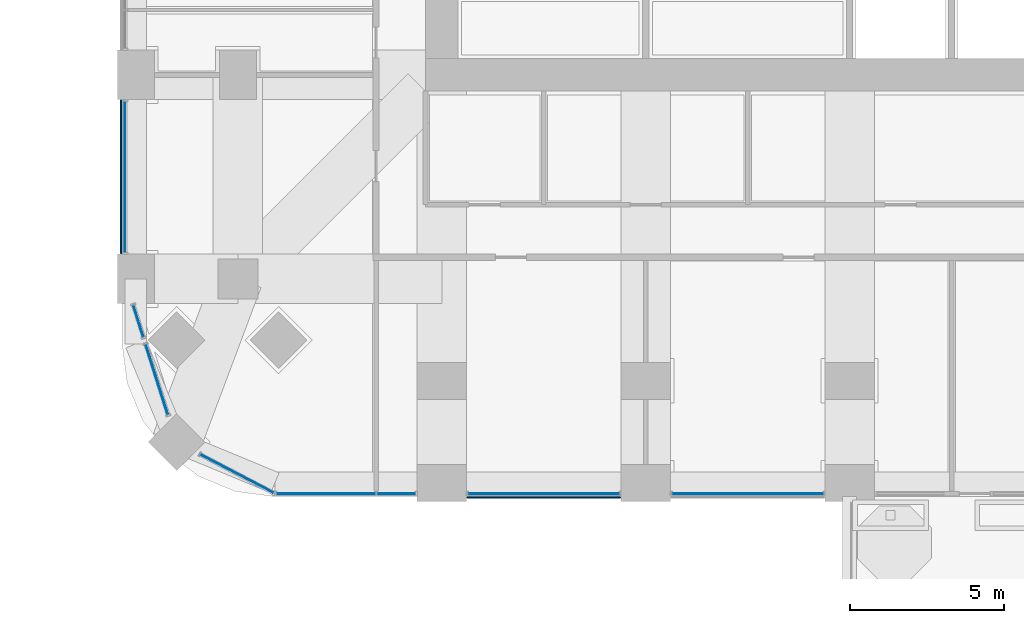
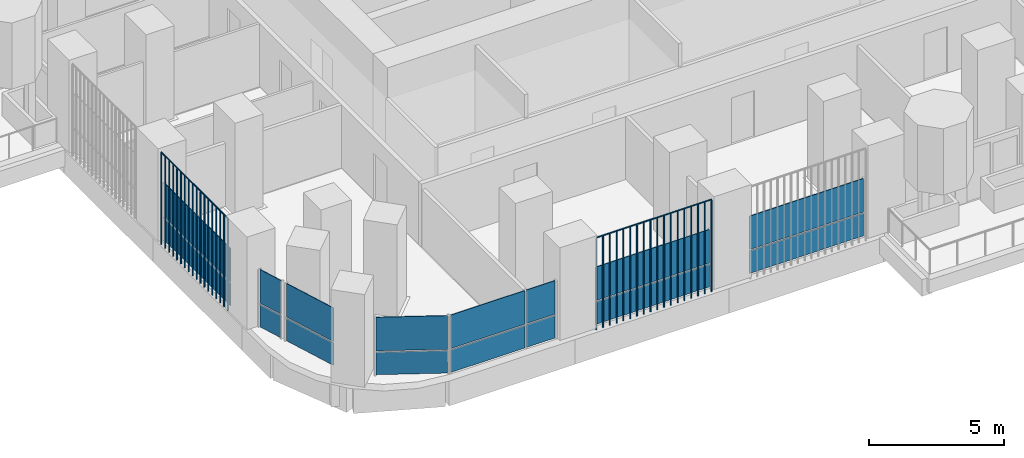
# One storey, part 9 of 22: 18 plates, 7 elements without a shape of their own.
"""IFC4 building model written with IfcOpenShell, lengths in metres."""

from ifc_helpers import new_model, si_unit, direction, frame, origin, origin_2d, place, context, subcontext, project, spatial, polyline, rectangle, outline, extrude, material, layer, layer_set, type_object, element, aggregate, save


model = new_model("IFC4")

# Units and contexts
model_context = context("Model", 3, precision=1e-05, world=origin(), true_north=direction((0.0, 1.0)))
body_context = subcontext(model_context, "Body", "Model", "MODEL_VIEW")
ifc_project = project(units=[si_unit("LENGTHUNIT", "METRE"), si_unit("AREAUNIT", "SQUARE_METRE"), si_unit("VOLUMEUNIT", "CUBIC_METRE"), si_unit("PLANEANGLEUNIT", "RADIAN"), si_unit("MASSUNIT", "GRAM", prefix="KILO")], contexts=[model_context])

# Site, building, storey
site_placement = place(None, origin())
site = spatial("IfcSite", under=ifc_project, at=site_placement, CompositionType="ELEMENT")
building_placement = place(site_placement, origin())
building = spatial("IfcBuilding", under=site, at=building_placement, Name="Cobogo Forest Laboratory Tower", CompositionType="ELEMENT")
storey_placement = place(building_placement, frame((0.0, 0.0, 136.800048828125)))
storey = spatial("IfcBuildingStorey", under=building, at=storey_placement, Name="L31", CompositionType="ELEMENT", Elevation=136.800048828125)

# Curtain wall, plates
ifc_material_1 = material(Name="Aluminium curtain wall", Category="aluminium")
curtain_wall_type = type_object("IfcCurtainWallType", Name="CW-1 unitised curtain wall, clear glazing, laboratory floors zones A and B", PredefinedType="USERDEFINED", material=ifc_material_1)
curtain_wall_1_placement = place(storey_placement, origin())
curtain_wall_1 = element("IfcCurtainWall", 1, at=curtain_wall_1_placement, inside=storey, type_object=curtain_wall_type, Name="Curtain wall 01 L31", ObjectType="UNITISED CURTAIN WALL", PredefinedType="USERDEFINED")
ifc_material_2 = material(Name="Clear insulated glass", Category="glass")
ifc_layer = layer(ifc_material_2, 0.028076171875)
ifc_layer_set = layer_set([ifc_layer], Name="GP-1 clear insulated glass unit 28")
plate_type_1 = type_object("IfcPlateType", Name="GP-1 clear insulated glass unit 28", PredefinedType="CURTAIN_PANEL", material=ifc_layer_set)
plate_1_placement = place(storey_placement, frame((9.452392578125, -0.35009765625, 0.0), z_axis=(0.0, 0.0, 1.0), x_axis=(1.0, 0.0, 0.0)))
plate_1 = element("IfcPlate", 2, at=plate_1_placement, type_object=plate_type_1, Name="CW-1 panel 1.1", PredefinedType="CURTAIN_PANEL", context=body_context, shape_type="SweptSolid", body=[
    extrude(rectangle(XDim=3.18505859375, YDim=0.028076171875, at=origin_2d()), origin(), (0.0, 0.0, 1.0), 1.02001953125),
])
plate_2_placement = place(storey_placement, frame((9.452392578125, -0.35009765625, 1.079833984375), z_axis=(0.0, 0.0, 1.0), x_axis=(1.0, 0.0, 0.0)))
plate_2 = element("IfcPlate", 3, at=plate_2_placement, type_object=plate_type_1, Name="CW-1 panel 1.2", PredefinedType="CURTAIN_PANEL", context=body_context, shape_type="SweptSolid", body=[
    extrude(rectangle(XDim=3.18505859375, YDim=0.028076171875, at=origin_2d()), origin(), (0.0, 0.0, 1.0), 1.52001953125),
])
plate_3_placement = place(storey_placement, frame((11.722412109375, -0.35009765625, 0.0), z_axis=(0.0, 0.0, 1.0), x_axis=(1.0, 0.0, 0.0)))
plate_3 = element("IfcPlate", 4, at=plate_3_placement, type_object=plate_type_1, Name="CW-1 panel 2.1", PredefinedType="CURTAIN_PANEL", context=body_context, shape_type="SweptSolid", body=[
    extrude(rectangle(XDim=1.235107421875, YDim=0.028076171875, at=origin_2d()), origin(), (0.0, 0.0, 1.0), 1.02001953125),
])
plate_4_placement = place(storey_placement, frame((11.722412109375, -0.35009765625, 1.079833984375), z_axis=(0.0, 0.0, 1.0), x_axis=(1.0, 0.0, 0.0)))
plate_4 = element("IfcPlate", 5, at=plate_4_placement, type_object=plate_type_1, Name="CW-1 panel 2.2", PredefinedType="CURTAIN_PANEL", context=body_context, shape_type="SweptSolid", body=[
    extrude(rectangle(XDim=1.235107421875, YDim=0.028076171875, at=origin_2d()), origin(), (0.0, 0.0, 1.0), 1.52001953125),
])
aggregate(curtain_wall_1, [plate_1, plate_2, plate_3, plate_4])

curtain_wall_2_placement = place(storey_placement, origin())
curtain_wall_2 = element("IfcCurtainWall", 6, at=curtain_wall_2_placement, inside=storey, type_object=curtain_wall_type, Name="Curtain wall 02 L31", ObjectType="UNITISED CURTAIN WALL", PredefinedType="USERDEFINED")
plate_5_placement = place(storey_placement, frame((16.5, -0.35009765625, 0.0), z_axis=(0.0, 0.0, 1.0), x_axis=(1.0, 0.0, 0.0)))
plate_5 = element("IfcPlate", 7, at=plate_5_placement, type_object=plate_type_1, Name="CW-1 panel 1.1", PredefinedType="CURTAIN_PANEL", context=body_context, shape_type="SweptSolid", body=[
    extrude(rectangle(XDim=4.8798828125, YDim=0.028076171875, at=origin_2d()), origin(), (0.0, 0.0, 1.0), 1.02001953125),
])
plate_6_placement = place(storey_placement, frame((16.5, -0.35009765625, 1.079833984375), z_axis=(0.0, 0.0, 1.0), x_axis=(1.0, 0.0, 0.0)))
plate_6 = element("IfcPlate", 8, at=plate_6_placement, type_object=plate_type_1, Name="CW-1 panel 1.2", PredefinedType="CURTAIN_PANEL", context=body_context, shape_type="SweptSolid", body=[
    extrude(rectangle(XDim=4.8798828125, YDim=0.028076171875, at=origin_2d()), origin(), (0.0, 0.0, 1.0), 1.52001953125),
])
aggregate(curtain_wall_2, [plate_5, plate_6])

curtain_wall_3_placement = place(storey_placement, origin())
curtain_wall_3 = element("IfcCurtainWall", 9, at=curtain_wall_3_placement, inside=storey, type_object=curtain_wall_type, Name="Curtain wall 03 L31", ObjectType="UNITISED CURTAIN WALL", PredefinedType="USERDEFINED")
plate_7_placement = place(storey_placement, frame((23.10009765625, -0.35009765625, 0.0), z_axis=(0.0, 0.0, 1.0), x_axis=(1.0, 0.0, 0.0)))
plate_7 = element("IfcPlate", 10, at=plate_7_placement, type_object=plate_type_1, Name="CW-1 panel 1.1", PredefinedType="CURTAIN_PANEL", context=body_context, shape_type="SweptSolid", body=[
    extrude(rectangle(XDim=4.8798828125, YDim=0.028076171875, at=origin_2d()), origin(), (0.0, 0.0, 1.0), 1.02001953125),
])
plate_8_placement = place(storey_placement, frame((23.10009765625, -0.35009765625, 1.079833984375), z_axis=(0.0, 0.0, 1.0), x_axis=(1.0, 0.0, 0.0)))
plate_8 = element("IfcPlate", 11, at=plate_8_placement, type_object=plate_type_1, Name="CW-1 panel 1.2", PredefinedType="CURTAIN_PANEL", context=body_context, shape_type="SweptSolid", body=[
    extrude(rectangle(XDim=4.8798828125, YDim=0.028076171875, at=origin_2d()), origin(), (0.0, 0.0, 1.0), 1.52001953125),
])
aggregate(curtain_wall_3, [plate_7, plate_8])

curtain_wall_4_placement = place(storey_placement, origin())
curtain_wall_4 = element("IfcCurtainWall", 12, at=curtain_wall_4_placement, inside=storey, type_object=curtain_wall_type, Name="Curtain wall 31 L31", ObjectType="UNITISED CURTAIN WALL", PredefinedType="USERDEFINED")
plate_9_placement = place(storey_placement, frame((2.949951171875, 9.89990234375, 0.0), z_axis=(0.0, 0.0, 1.0), x_axis=(0.0, -1.0, 0.0)))
plate_9 = element("IfcPlate", 13, at=plate_9_placement, type_object=plate_type_1, Name="CW-1 panel 1.1", PredefinedType="CURTAIN_PANEL", context=body_context, shape_type="SweptSolid", body=[
    extrude(rectangle(XDim=4.8798828125, YDim=0.028076171875, at=origin_2d()), origin(), (0.0, 0.0, 1.0), 1.02001953125),
])
plate_10_placement = place(storey_placement, frame((2.949951171875, 9.89990234375, 1.079833984375), z_axis=(0.0, 0.0, 1.0), x_axis=(0.0, -1.0, 0.0)))
plate_10 = element("IfcPlate", 14, at=plate_10_placement, type_object=plate_type_1, Name="CW-1 panel 1.2", PredefinedType="CURTAIN_PANEL", context=body_context, shape_type="SweptSolid", body=[
    extrude(rectangle(XDim=4.8798828125, YDim=0.028076171875, at=origin_2d()), origin(), (0.0, 0.0, 1.0), 1.52001953125),
])
aggregate(curtain_wall_4, [plate_9, plate_10])

curtain_wall_5_placement = place(storey_placement, origin())
curtain_wall_5 = element("IfcCurtainWall", 15, at=curtain_wall_5_placement, inside=storey, type_object=curtain_wall_type, Name="Curtain wall 32 L31", ObjectType="UNITISED CURTAIN WALL", PredefinedType="USERDEFINED")
plate_11_placement = place(storey_placement, frame((3.3818359375, 5.232177734375, 0.0), z_axis=(0.0, 0.0, 1.0), x_axis=(0.301135667865, -0.953581307252, 0.0)))
plate_11 = element("IfcPlate", 16, at=plate_11_placement, type_object=plate_type_1, Name="CW-1 panel 1.1", PredefinedType="CURTAIN_PANEL", context=body_context, shape_type="SweptSolid", body=[
    extrude(rectangle(XDim=1.071044921875, YDim=0.028076171875, at=origin_2d()), origin(), (0.0, 0.0, 1.0), 1.02001953125),
])
plate_12_placement = place(storey_placement, frame((3.3818359375, 5.232177734375, 1.079833984375), z_axis=(0.0, 0.0, 1.0), x_axis=(0.301135667865, -0.953581307252, 0.0)))
plate_12 = element("IfcPlate", 17, at=plate_12_placement, type_object=plate_type_1, Name="CW-1 panel 1.2", PredefinedType="CURTAIN_PANEL", context=body_context, shape_type="SweptSolid", body=[
    extrude(rectangle(XDim=1.071044921875, YDim=0.028076171875, at=origin_2d()), origin(), (0.0, 0.0, 1.0), 1.52001953125),
])
aggregate(curtain_wall_5, [plate_11, plate_12])

curtain_wall_6_placement = place(storey_placement, origin())
curtain_wall_6 = element("IfcCurtainWall", 18, at=curtain_wall_6_placement, inside=storey, type_object=curtain_wall_type, Name="Curtain wall 33 L31", ObjectType="UNITISED CURTAIN WALL", PredefinedType="USERDEFINED")
plate_13_placement = place(storey_placement, frame((3.978759765625, 3.342529296875, 0.0), z_axis=(0.0, 0.0, 1.0), x_axis=(0.301135291996, -0.953581425949, 0.0)))
plate_13 = element("IfcPlate", 19, at=plate_13_placement, type_object=plate_type_1, Name="CW-1 panel 1.1", PredefinedType="CURTAIN_PANEL", context=body_context, shape_type="SweptSolid", body=[
    extrude(rectangle(XDim=2.3681640625, YDim=0.028076171875, at=origin_2d()), origin(), (0.0, 0.0, 1.0), 1.02001953125),
])
plate_14_placement = place(storey_placement, frame((3.978759765625, 3.342529296875, 1.079833984375), z_axis=(0.0, 0.0, 1.0), x_axis=(0.301135291996, -0.953581425949, 0.0)))
plate_14 = element("IfcPlate", 20, at=plate_14_placement, type_object=plate_type_1, Name="CW-1 panel 1.2", PredefinedType="CURTAIN_PANEL", context=body_context, shape_type="SweptSolid", body=[
    extrude(rectangle(XDim=2.3681640625, YDim=0.028076171875, at=origin_2d()), origin(), (0.0, 0.0, 1.0), 1.52001953125),
])
aggregate(curtain_wall_6, [plate_13, plate_14])

curtain_wall_7_placement = place(storey_placement, origin())
curtain_wall_7 = element("IfcCurtainWall", 21, at=curtain_wall_7_placement, inside=storey, type_object=curtain_wall_type, Name="Curtain wall 34 L31", ObjectType="UNITISED CURTAIN WALL", PredefinedType="USERDEFINED")
plate_15_placement = place(storey_placement, frame((6.57080078125, 0.29443359375, 0.0), z_axis=(0.0, 0.0, 1.0), x_axis=(0.885686547075, -0.464283685186, 0.0)))
plate_15 = element("IfcPlate", 22, at=plate_15_placement, type_object=plate_type_1, Name="CW-1 panel 1.1", PredefinedType="CURTAIN_PANEL", context=body_context, shape_type="SweptSolid", body=[
    extrude(rectangle(XDim=2.655517578125, YDim=0.028076171875, at=origin_2d()), origin(), (0.0, 0.0, 1.0), 1.02001953125),
])
plate_16_placement = place(storey_placement, frame((6.57080078125, 0.29443359375, 1.079833984375), z_axis=(0.0, 0.0, 1.0), x_axis=(0.885686547075, -0.464283685186, 0.0)))
plate_16 = element("IfcPlate", 23, at=plate_16_placement, type_object=plate_type_1, Name="CW-1 panel 1.2", PredefinedType="CURTAIN_PANEL", context=body_context, shape_type="SweptSolid", body=[
    extrude(rectangle(XDim=2.655517578125, YDim=0.028076171875, at=origin_2d()), origin(), (0.0, 0.0, 1.0), 1.52001953125),
])
aggregate(curtain_wall_7, [plate_15, plate_16])

# Plates
ifc_material_3 = material(Name="Terracotta", Category="masonry")
plate_type_2 = type_object("IfcPlateType", Name="TB1 terracotta baguette screen", PredefinedType="USERDEFINED", material=ifc_material_3)
plate_17_placement = place(storey_placement, frame((14.03125, -0.477783203125, -0.150146484375)))
element("IfcPlate", 24, at=plate_17_placement, inside=storey, type_object=plate_type_2, Name="Baguette screen S1 L31", ObjectType="BAGUETTE SCREEN", PredefinedType="USERDEFINED", context=body_context, shape_type="SweptSolid", body=[
    extrude(outline(polyline([(0.02880859375, 0.011962890625), (0.011962890625, 0.02880859375), (-0.011962890625, 0.02880859375), (-0.02880859375, 0.011962890625), (-0.02880859375, -0.011962890625), (-0.011962890625, -0.02880859375), (0.011962890625, -0.02880859375), (0.02880859375, -0.011962890625), (0.02880859375, 0.011962890625)])), frame((0.0, 0.0, 4.168701171875), z_axis=(1.0, 0.0, 0.0), x_axis=(0.0, 1.0, 0.0)), (0.0, 0.0, 1.0), 4.9375),
    extrude(outline(polyline([(0.02880859375, 0.011962890625), (0.011962890625, 0.02880859375), (-0.011962890625, 0.02880859375), (-0.02880859375, 0.011962890625), (-0.02880859375, -0.011962890625), (-0.011962890625, -0.02880859375), (0.011962890625, -0.02880859375), (0.02880859375, -0.011962890625), (0.02880859375, 0.011962890625)])), origin(), (0.0, 0.0, 1.0), 4.137451171875),
    extrude(outline(polyline([(0.02880859375, 0.011962890625), (0.011962890625, 0.02880859375), (-0.011962890625, 0.02880859375), (-0.02880859375, 0.011962890625), (-0.02880859375, -0.011962890625), (-0.011962890625, -0.02880859375), (0.011962890625, -0.02880859375), (0.02880859375, -0.011962890625), (0.02880859375, 0.011962890625)])), frame((0.29052734375, 0.0, 0.0)), (0.0, 0.0, 1.0), 4.137451171875),
    extrude(outline(polyline([(0.02880859375, 0.011962890625), (0.011962890625, 0.02880859375), (-0.011962890625, 0.02880859375), (-0.02880859375, 0.011962890625), (-0.02880859375, -0.011962890625), (-0.011962890625, -0.02880859375), (0.011962890625, -0.02880859375), (0.02880859375, -0.011962890625), (0.02880859375, 0.011962890625)])), frame((0.580810546875, 0.0, 0.0)), (0.0, 0.0, 1.0), 4.137451171875),
    extrude(outline(polyline([(0.02880859375, 0.011962890625), (0.011962890625, 0.02880859375), (-0.011962890625, 0.02880859375), (-0.02880859375, 0.011962890625), (-0.02880859375, -0.011962890625), (-0.011962890625, -0.02880859375), (0.011962890625, -0.02880859375), (0.02880859375, -0.011962890625), (0.02880859375, 0.011962890625)])), frame((0.871337890625, 0.0, 0.0)), (0.0, 0.0, 1.0), 4.137451171875),
    extrude(outline(polyline([(0.02880859375, 0.011962890625), (0.011962890625, 0.02880859375), (-0.011962890625, 0.02880859375), (-0.02880859375, 0.011962890625), (-0.02880859375, -0.011962890625), (-0.011962890625, -0.02880859375), (0.011962890625, -0.02880859375), (0.02880859375, -0.011962890625), (0.02880859375, 0.011962890625)])), frame((1.161865234375, 0.0, 0.0)), (0.0, 0.0, 1.0), 4.137451171875),
    extrude(outline(polyline([(0.02880859375, 0.011962890625), (0.011962890625, 0.02880859375), (-0.011962890625, 0.02880859375), (-0.02880859375, 0.011962890625), (-0.02880859375, -0.011962890625), (-0.011962890625, -0.02880859375), (0.011962890625, -0.02880859375), (0.02880859375, -0.011962890625), (0.02880859375, 0.011962890625)])), frame((1.4521484375, 0.0, 0.0)), (0.0, 0.0, 1.0), 4.137451171875),
    extrude(outline(polyline([(0.02880859375, 0.011962890625), (0.011962890625, 0.02880859375), (-0.011962890625, 0.02880859375), (-0.02880859375, 0.011962890625), (-0.02880859375, -0.011962890625), (-0.011962890625, -0.02880859375), (0.011962890625, -0.02880859375), (0.02880859375, -0.011962890625), (0.02880859375, 0.011962890625)])), frame((1.74267578125, 0.0, 0.0)), (0.0, 0.0, 1.0), 4.137451171875),
    extrude(outline(polyline([(0.02880859375, 0.011962890625), (0.011962890625, 0.02880859375), (-0.011962890625, 0.02880859375), (-0.02880859375, 0.011962890625), (-0.02880859375, -0.011962890625), (-0.011962890625, -0.02880859375), (0.011962890625, -0.02880859375), (0.02880859375, -0.011962890625), (0.02880859375, 0.011962890625)])), frame((2.033203125, 0.0, 0.0)), (0.0, 0.0, 1.0), 4.137451171875),
    extrude(outline(polyline([(0.02880859375, 0.011962890625), (0.011962890625, 0.02880859375), (-0.011962890625, 0.02880859375), (-0.02880859375, 0.011962890625), (-0.02880859375, -0.011962890625), (-0.011962890625, -0.02880859375), (0.011962890625, -0.02880859375), (0.02880859375, -0.011962890625), (0.02880859375, 0.011962890625)])), frame((2.323486328125, 0.0, 0.0)), (0.0, 0.0, 1.0), 4.137451171875),
    extrude(outline(polyline([(0.02880859375, 0.011962890625), (0.011962890625, 0.02880859375), (-0.011962890625, 0.02880859375), (-0.02880859375, 0.011962890625), (-0.02880859375, -0.011962890625), (-0.011962890625, -0.02880859375), (0.011962890625, -0.02880859375), (0.02880859375, -0.011962890625), (0.02880859375, 0.011962890625)])), frame((2.614013671875, 0.0, 0.0)), (0.0, 0.0, 1.0), 4.137451171875),
    extrude(outline(polyline([(0.02880859375, 0.011962890625), (0.011962890625, 0.02880859375), (-0.011962890625, 0.02880859375), (-0.02880859375, 0.011962890625), (-0.02880859375, -0.011962890625), (-0.011962890625, -0.02880859375), (0.011962890625, -0.02880859375), (0.02880859375, -0.011962890625), (0.02880859375, 0.011962890625)])), frame((2.904296875, 0.0, 0.0)), (0.0, 0.0, 1.0), 4.137451171875),
    extrude(outline(polyline([(0.02880859375, 0.011962890625), (0.011962890625, 0.02880859375), (-0.011962890625, 0.02880859375), (-0.02880859375, 0.011962890625), (-0.02880859375, -0.011962890625), (-0.011962890625, -0.02880859375), (0.011962890625, -0.02880859375), (0.02880859375, -0.011962890625), (0.02880859375, 0.011962890625)])), frame((3.19482421875, 0.0, 0.0)), (0.0, 0.0, 1.0), 4.137451171875),
    extrude(outline(polyline([(0.02880859375, 0.011962890625), (0.011962890625, 0.02880859375), (-0.011962890625, 0.02880859375), (-0.02880859375, 0.011962890625), (-0.02880859375, -0.011962890625), (-0.011962890625, -0.02880859375), (0.011962890625, -0.02880859375), (0.02880859375, -0.011962890625), (0.02880859375, 0.011962890625)])), frame((3.4853515625, 0.0, 0.0)), (0.0, 0.0, 1.0), 4.137451171875),
    extrude(outline(polyline([(0.02880859375, 0.011962890625), (0.011962890625, 0.02880859375), (-0.011962890625, 0.02880859375), (-0.02880859375, 0.011962890625), (-0.02880859375, -0.011962890625), (-0.011962890625, -0.02880859375), (0.011962890625, -0.02880859375), (0.02880859375, -0.011962890625), (0.02880859375, 0.011962890625)])), frame((3.775634765625, 0.0, 0.0)), (0.0, 0.0, 1.0), 4.137451171875),
    extrude(outline(polyline([(0.02880859375, 0.011962890625), (0.011962890625, 0.02880859375), (-0.011962890625, 0.02880859375), (-0.02880859375, 0.011962890625), (-0.02880859375, -0.011962890625), (-0.011962890625, -0.02880859375), (0.011962890625, -0.02880859375), (0.02880859375, -0.011962890625), (0.02880859375, 0.011962890625)])), frame((4.066162109375, 0.0, 0.0)), (0.0, 0.0, 1.0), 4.137451171875),
    extrude(outline(polyline([(0.02880859375, 0.011962890625), (0.011962890625, 0.02880859375), (-0.011962890625, 0.02880859375), (-0.02880859375, 0.011962890625), (-0.02880859375, -0.011962890625), (-0.011962890625, -0.02880859375), (0.011962890625, -0.02880859375), (0.02880859375, -0.011962890625), (0.02880859375, 0.011962890625)])), frame((4.356689453125, 0.0, 0.0)), (0.0, 0.0, 1.0), 4.137451171875),
    extrude(outline(polyline([(0.02880859375, 0.011962890625), (0.011962890625, 0.02880859375), (-0.011962890625, 0.02880859375), (-0.02880859375, 0.011962890625), (-0.02880859375, -0.011962890625), (-0.011962890625, -0.02880859375), (0.011962890625, -0.02880859375), (0.02880859375, -0.011962890625), (0.02880859375, 0.011962890625)])), frame((4.64697265625, 0.0, 0.0)), (0.0, 0.0, 1.0), 4.137451171875),
    extrude(outline(polyline([(0.02880859375, 0.011962890625), (0.011962890625, 0.02880859375), (-0.011962890625, 0.02880859375), (-0.02880859375, 0.011962890625), (-0.02880859375, -0.011962890625), (-0.011962890625, -0.02880859375), (0.011962890625, -0.02880859375), (0.02880859375, -0.011962890625), (0.02880859375, 0.011962890625)])), frame((4.9375, 0.0, 0.0)), (0.0, 0.0, 1.0), 4.137451171875),
])
plate_18_placement = place(storey_placement, frame((2.822021484375, 7.43115234375, -0.150146484375)))
element("IfcPlate", 25, at=plate_18_placement, inside=storey, type_object=plate_type_2, Name="Baguette screen W1 L31", ObjectType="BAGUETTE SCREEN", PredefinedType="USERDEFINED", context=body_context, shape_type="SweptSolid", body=[
    extrude(outline(polyline([(0.02880859375, 0.011962890625), (0.011962890625, 0.02880859375), (-0.011962890625, 0.02880859375), (-0.02880859375, 0.011962890625), (-0.02880859375, -0.011962890625), (-0.011962890625, -0.02880859375), (0.011962890625, -0.02880859375), (0.02880859375, -0.011962890625), (0.02880859375, 0.011962890625)])), frame((0.0, 0.0, 4.168701171875), z_axis=(0.0, 1.0, 0.0), x_axis=(-1.0, 0.0, 0.0)), (0.0, 0.0, 1.0), 4.9375),
    extrude(outline(polyline([(0.02880859375, 0.011962890625), (0.011962890625, 0.02880859375), (-0.011962890625, 0.02880859375), (-0.02880859375, 0.011962890625), (-0.02880859375, -0.011962890625), (-0.011962890625, -0.02880859375), (0.011962890625, -0.02880859375), (0.02880859375, -0.011962890625), (0.02880859375, 0.011962890625)])), origin(), (0.0, 0.0, 1.0), 4.137451171875),
    extrude(outline(polyline([(0.02880859375, 0.011962890625), (0.011962890625, 0.02880859375), (-0.011962890625, 0.02880859375), (-0.02880859375, 0.011962890625), (-0.02880859375, -0.011962890625), (-0.011962890625, -0.02880859375), (0.011962890625, -0.02880859375), (0.02880859375, -0.011962890625), (0.02880859375, 0.011962890625)])), frame((0.0, 0.29052734375, 0.0)), (0.0, 0.0, 1.0), 4.137451171875),
    extrude(outline(polyline([(0.02880859375, 0.011962890625), (0.011962890625, 0.02880859375), (-0.011962890625, 0.02880859375), (-0.02880859375, 0.011962890625), (-0.02880859375, -0.011962890625), (-0.011962890625, -0.02880859375), (0.011962890625, -0.02880859375), (0.02880859375, -0.011962890625), (0.02880859375, 0.011962890625)])), frame((0.0, 0.580810546875, 0.0)), (0.0, 0.0, 1.0), 4.137451171875),
    extrude(outline(polyline([(0.02880859375, 0.011962890625), (0.011962890625, 0.02880859375), (-0.011962890625, 0.02880859375), (-0.02880859375, 0.011962890625), (-0.02880859375, -0.011962890625), (-0.011962890625, -0.02880859375), (0.011962890625, -0.02880859375), (0.02880859375, -0.011962890625), (0.02880859375, 0.011962890625)])), frame((0.0, 0.871337890625, 0.0)), (0.0, 0.0, 1.0), 4.137451171875),
    extrude(outline(polyline([(0.02880859375, 0.011962890625), (0.011962890625, 0.02880859375), (-0.011962890625, 0.02880859375), (-0.02880859375, 0.011962890625), (-0.02880859375, -0.011962890625), (-0.011962890625, -0.02880859375), (0.011962890625, -0.02880859375), (0.02880859375, -0.011962890625), (0.02880859375, 0.011962890625)])), frame((0.0, 1.161865234375, 0.0)), (0.0, 0.0, 1.0), 4.137451171875),
    extrude(outline(polyline([(0.02880859375, 0.011962890625), (0.011962890625, 0.02880859375), (-0.011962890625, 0.02880859375), (-0.02880859375, 0.011962890625), (-0.02880859375, -0.011962890625), (-0.011962890625, -0.02880859375), (0.011962890625, -0.02880859375), (0.02880859375, -0.011962890625), (0.02880859375, 0.011962890625)])), frame((0.0, 1.4521484375, 0.0)), (0.0, 0.0, 1.0), 4.137451171875),
    extrude(outline(polyline([(0.02880859375, 0.011962890625), (0.011962890625, 0.02880859375), (-0.011962890625, 0.02880859375), (-0.02880859375, 0.011962890625), (-0.02880859375, -0.011962890625), (-0.011962890625, -0.02880859375), (0.011962890625, -0.02880859375), (0.02880859375, -0.011962890625), (0.02880859375, 0.011962890625)])), frame((0.0, 1.74267578125, 0.0)), (0.0, 0.0, 1.0), 4.137451171875),
    extrude(outline(polyline([(0.02880859375, 0.011962890625), (0.011962890625, 0.02880859375), (-0.011962890625, 0.02880859375), (-0.02880859375, 0.011962890625), (-0.02880859375, -0.011962890625), (-0.011962890625, -0.02880859375), (0.011962890625, -0.02880859375), (0.02880859375, -0.011962890625), (0.02880859375, 0.011962890625)])), frame((0.0, 2.033203125, 0.0)), (0.0, 0.0, 1.0), 4.137451171875),
    extrude(outline(polyline([(0.02880859375, 0.011962890625), (0.011962890625, 0.02880859375), (-0.011962890625, 0.02880859375), (-0.02880859375, 0.011962890625), (-0.02880859375, -0.011962890625), (-0.011962890625, -0.02880859375), (0.011962890625, -0.02880859375), (0.02880859375, -0.011962890625), (0.02880859375, 0.011962890625)])), frame((0.0, 2.323486328125, 0.0)), (0.0, 0.0, 1.0), 4.137451171875),
    extrude(outline(polyline([(0.02880859375, 0.011962890625), (0.011962890625, 0.02880859375), (-0.011962890625, 0.02880859375), (-0.02880859375, 0.011962890625), (-0.02880859375, -0.011962890625), (-0.011962890625, -0.02880859375), (0.011962890625, -0.02880859375), (0.02880859375, -0.011962890625), (0.02880859375, 0.011962890625)])), frame((0.0, 2.614013671875, 0.0)), (0.0, 0.0, 1.0), 4.137451171875),
    extrude(outline(polyline([(0.02880859375, 0.011962890625), (0.011962890625, 0.02880859375), (-0.011962890625, 0.02880859375), (-0.02880859375, 0.011962890625), (-0.02880859375, -0.011962890625), (-0.011962890625, -0.02880859375), (0.011962890625, -0.02880859375), (0.02880859375, -0.011962890625), (0.02880859375, 0.011962890625)])), frame((0.0, 2.904296875, 0.0)), (0.0, 0.0, 1.0), 4.137451171875),
    extrude(outline(polyline([(0.02880859375, 0.011962890625), (0.011962890625, 0.02880859375), (-0.011962890625, 0.02880859375), (-0.02880859375, 0.011962890625), (-0.02880859375, -0.011962890625), (-0.011962890625, -0.02880859375), (0.011962890625, -0.02880859375), (0.02880859375, -0.011962890625), (0.02880859375, 0.011962890625)])), frame((0.0, 3.19482421875, 0.0)), (0.0, 0.0, 1.0), 4.137451171875),
    extrude(outline(polyline([(0.02880859375, 0.011962890625), (0.011962890625, 0.02880859375), (-0.011962890625, 0.02880859375), (-0.02880859375, 0.011962890625), (-0.02880859375, -0.011962890625), (-0.011962890625, -0.02880859375), (0.011962890625, -0.02880859375), (0.02880859375, -0.011962890625), (0.02880859375, 0.011962890625)])), frame((0.0, 3.4853515625, 0.0)), (0.0, 0.0, 1.0), 4.137451171875),
    extrude(outline(polyline([(0.02880859375, 0.011962890625), (0.011962890625, 0.02880859375), (-0.011962890625, 0.02880859375), (-0.02880859375, 0.011962890625), (-0.02880859375, -0.011962890625), (-0.011962890625, -0.02880859375), (0.011962890625, -0.02880859375), (0.02880859375, -0.011962890625), (0.02880859375, 0.011962890625)])), frame((0.0, 3.775634765625, 0.0)), (0.0, 0.0, 1.0), 4.137451171875),
    extrude(outline(polyline([(0.02880859375, 0.011962890625), (0.011962890625, 0.02880859375), (-0.011962890625, 0.02880859375), (-0.02880859375, 0.011962890625), (-0.02880859375, -0.011962890625), (-0.011962890625, -0.02880859375), (0.011962890625, -0.02880859375), (0.02880859375, -0.011962890625), (0.02880859375, 0.011962890625)])), frame((0.0, 4.066162109375, 0.0)), (0.0, 0.0, 1.0), 4.137451171875),
    extrude(outline(polyline([(0.02880859375, 0.011962890625), (0.011962890625, 0.02880859375), (-0.011962890625, 0.02880859375), (-0.02880859375, 0.011962890625), (-0.02880859375, -0.011962890625), (-0.011962890625, -0.02880859375), (0.011962890625, -0.02880859375), (0.02880859375, -0.011962890625), (0.02880859375, 0.011962890625)])), frame((0.0, 4.356689453125, 0.0)), (0.0, 0.0, 1.0), 4.137451171875),
    extrude(outline(polyline([(0.02880859375, 0.011962890625), (0.011962890625, 0.02880859375), (-0.011962890625, 0.02880859375), (-0.02880859375, 0.011962890625), (-0.02880859375, -0.011962890625), (-0.011962890625, -0.02880859375), (0.011962890625, -0.02880859375), (0.02880859375, -0.011962890625), (0.02880859375, 0.011962890625)])), frame((0.0, 4.64697265625, 0.0)), (0.0, 0.0, 1.0), 4.137451171875),
    extrude(outline(polyline([(0.02880859375, 0.011962890625), (0.011962890625, 0.02880859375), (-0.011962890625, 0.02880859375), (-0.02880859375, 0.011962890625), (-0.02880859375, -0.011962890625), (-0.011962890625, -0.02880859375), (0.011962890625, -0.02880859375), (0.02880859375, -0.011962890625), (0.02880859375, 0.011962890625)])), frame((0.0, 4.9375, 0.0)), (0.0, 0.0, 1.0), 4.137451171875),
])

save(model, "model.ifc")
